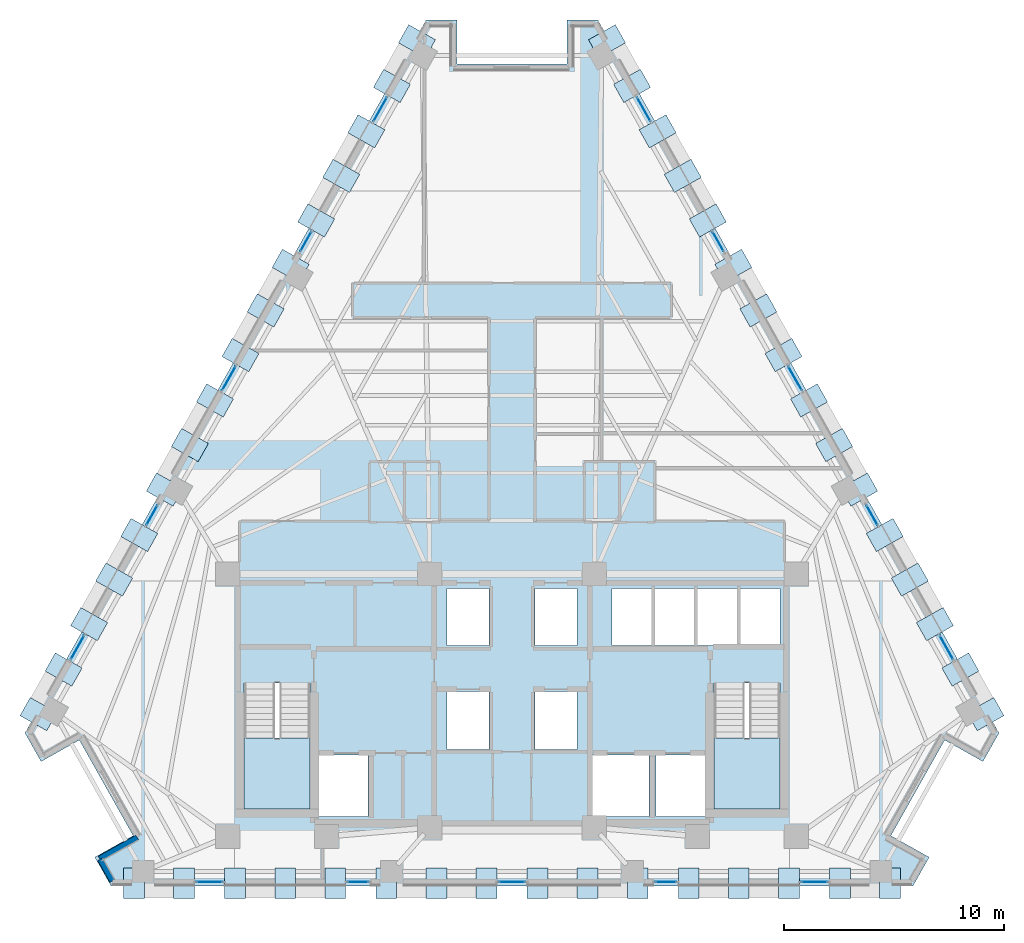
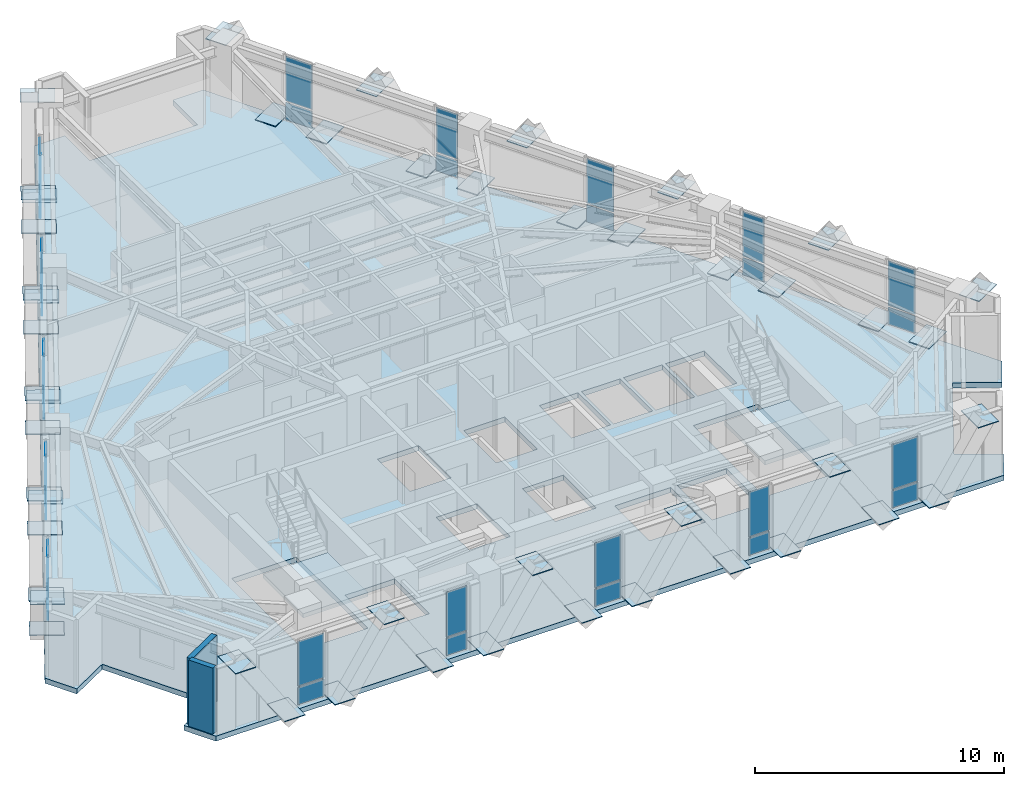
# One storey, part 6 of 14: 78 plates, 3 slabs, 2 walls, 17 elements without a shape of their own.
"""IFC4 building model written with IfcOpenShell, lengths in metres."""

from ifc_helpers import new_model, si_unit, direction, frame, frame_2d, origin, origin_2d, place, context, subcontext, project, spatial, polyline, rectangle, outline, extrude, material, layer, layer_set, type_object, element, aggregate, save


model = new_model("IFC4")

# Units and contexts
model_context = context("Model", 3, precision=1e-05, world=origin(), true_north=direction((0.0, 1.0)))
body_context = subcontext(model_context, "Body", "Model", "MODEL_VIEW")
ifc_project = project(units=[si_unit("LENGTHUNIT", "METRE"), si_unit("AREAUNIT", "SQUARE_METRE"), si_unit("VOLUMEUNIT", "CUBIC_METRE"), si_unit("PLANEANGLEUNIT", "RADIAN"), si_unit("MASSUNIT", "GRAM", prefix="KILO")], contexts=[model_context])

# Site, building, storey
site_placement = place(None, origin())
site = spatial("IfcSite", under=ifc_project, at=site_placement, CompositionType="ELEMENT")
building_placement = place(site_placement, origin())
building = spatial("IfcBuilding", under=site, at=building_placement, Name="Quenlor Broadcast Tower", CompositionType="ELEMENT")
storey_placement = place(building_placement, frame((0.0, 0.0, 168.5)))
storey = spatial("IfcBuildingStorey", under=building, at=storey_placement, Name="L46", CompositionType="ELEMENT", Elevation=168.5)

# Curtain wall, plates
ifc_material_1 = material(Name="Architectural Terracotta and Low-E Glazing", Category="masonry")
curtain_wall_type = type_object("IfcCurtainWallType", Name="Unitised Terracotta Curtain Wall System Z3", PredefinedType="NOTDEFINED", material=ifc_material_1)
curtain_wall_1_placement = place(storey_placement, origin())
curtain_wall_1 = element("IfcCurtainWall", 1, at=curtain_wall_1_placement, inside=storey, type_object=curtain_wall_type, Name="L46 Curtain Wall CW3 (L46-SA-G1)", PredefinedType="NOTDEFINED")
ifc_material_2 = material(Name="Double Glazed Low-E Solar Glass", Category="glass")
ifc_layer_1 = layer(ifc_material_2, 0.028076171875)
ifc_layer_set_1 = layer_set([ifc_layer_1], Name="CW3 Double Glazed Vision Panel 28")
plate_type_1 = type_object("IfcPlateType", Name="CW3 Double Glazed Vision Panel 28", PredefinedType="CURTAIN_PANEL", material=ifc_layer_set_1)
plate_1_placement = place(storey_placement, frame((13.77587890625, -18.824951171875, 0.06982421875), z_axis=(0.0, 0.0, 1.0), x_axis=(-1.0, 0.0, 0.0)))
plate_1 = element("IfcPlate", 2, at=plate_1_placement, type_object=plate_type_1, Name="CW3 panel 1.1", PredefinedType="CURTAIN_PANEL", context=body_context, shape_type="SweptSolid", body=[
    extrude(rectangle(XDim=1.197998046875, YDim=0.028076171875, at=origin_2d()), origin(), (0.0, 0.0, 1.0), 0.844970703125),
])
plate_2_placement = place(storey_placement, frame((13.77587890625, -18.824951171875, 0.98486328125), z_axis=(0.0, 0.0, 1.0), x_axis=(-1.0, 0.0, 0.0)))
plate_2 = element("IfcPlate", 3, at=plate_2_placement, type_object=plate_type_1, Name="CW3 panel 1.2", PredefinedType="CURTAIN_PANEL", context=body_context, shape_type="SweptSolid", body=[
    extrude(rectangle(XDim=1.197998046875, YDim=0.028076171875, at=origin_2d()), origin(), (0.0, 0.0, 1.0), 2.195068359375),
])
aggregate(curtain_wall_1, [plate_1, plate_2])

curtain_wall_2_placement = place(storey_placement, origin())
curtain_wall_2 = element("IfcCurtainWall", 4, at=curtain_wall_2_placement, inside=storey, type_object=curtain_wall_type, Name="L46 Curtain Wall CW3 (L46-SA-G2)", PredefinedType="NOTDEFINED")
plate_3_placement = place(storey_placement, frame((7.011474609375, -18.824951171875, 0.06982421875), z_axis=(0.0, 0.0, 1.0), x_axis=(-1.0, 0.0, 0.0)))
plate_3 = element("IfcPlate", 5, at=plate_3_placement, type_object=plate_type_1, Name="CW3 panel 1.1", PredefinedType="CURTAIN_PANEL", context=body_context, shape_type="SweptSolid", body=[
    extrude(rectangle(XDim=0.950927734375, YDim=0.028076171875, at=origin_2d()), origin(), (0.0, 0.0, 1.0), 0.844970703125),
])
plate_4_placement = place(storey_placement, frame((7.011474609375, -18.824951171875, 0.98486328125), z_axis=(0.0, 0.0, 1.0), x_axis=(-1.0, 0.0, 0.0)))
plate_4 = element("IfcPlate", 6, at=plate_4_placement, type_object=plate_type_1, Name="CW3 panel 1.2", PredefinedType="CURTAIN_PANEL", context=body_context, shape_type="SweptSolid", body=[
    extrude(rectangle(XDim=0.950927734375, YDim=0.028076171875, at=origin_2d()), origin(), (0.0, 0.0, 1.0), 2.195068359375),
])
aggregate(curtain_wall_2, [plate_3, plate_4])

curtain_wall_3_placement = place(storey_placement, origin())
curtain_wall_3 = element("IfcCurtainWall", 7, at=curtain_wall_3_placement, inside=storey, type_object=curtain_wall_type, Name="L46 Curtain Wall CW3 (L46-SC-G1)", PredefinedType="NOTDEFINED")
plate_5_placement = place(storey_placement, frame((-7.011474609375, -18.824951171875, 0.06982421875), z_axis=(0.0, 0.0, 1.0), x_axis=(-1.0, 0.0, 0.0)))
plate_5 = element("IfcPlate", 8, at=plate_5_placement, type_object=plate_type_1, Name="CW3 panel 1.1", PredefinedType="CURTAIN_PANEL", context=body_context, shape_type="SweptSolid", body=[
    extrude(rectangle(XDim=0.950927734375, YDim=0.028076171875, at=origin_2d()), origin(), (0.0, 0.0, 1.0), 0.844970703125),
])
plate_6_placement = place(storey_placement, frame((-7.011474609375, -18.824951171875, 0.98486328125), z_axis=(0.0, 0.0, 1.0), x_axis=(-1.0, 0.0, 0.0)))
plate_6 = element("IfcPlate", 9, at=plate_6_placement, type_object=plate_type_1, Name="CW3 panel 1.2", PredefinedType="CURTAIN_PANEL", context=body_context, shape_type="SweptSolid", body=[
    extrude(rectangle(XDim=0.950927734375, YDim=0.028076171875, at=origin_2d()), origin(), (0.0, 0.0, 1.0), 2.195068359375),
])
aggregate(curtain_wall_3, [plate_5, plate_6])

curtain_wall_4_placement = place(storey_placement, origin())
curtain_wall_4 = element("IfcCurtainWall", 10, at=curtain_wall_4_placement, inside=storey, type_object=curtain_wall_type, Name="L46 Curtain Wall CW3 (L46-SC-G2)", PredefinedType="NOTDEFINED")
plate_7_placement = place(storey_placement, frame((-13.77587890625, -18.824951171875, 0.06982421875), z_axis=(0.0, 0.0, 1.0), x_axis=(-1.0, 0.0, 0.0)))
plate_7 = element("IfcPlate", 11, at=plate_7_placement, type_object=plate_type_1, Name="CW3 panel 1.1", PredefinedType="CURTAIN_PANEL", context=body_context, shape_type="SweptSolid", body=[
    extrude(rectangle(XDim=1.197998046875, YDim=0.028076171875, at=origin_2d()), origin(), (0.0, 0.0, 1.0), 0.844970703125),
])
plate_8_placement = place(storey_placement, frame((-13.77587890625, -18.824951171875, 0.98486328125), z_axis=(0.0, 0.0, 1.0), x_axis=(-1.0, 0.0, 0.0)))
plate_8 = element("IfcPlate", 12, at=plate_8_placement, type_object=plate_type_1, Name="CW3 panel 1.2", PredefinedType="CURTAIN_PANEL", context=body_context, shape_type="SweptSolid", body=[
    extrude(rectangle(XDim=1.197998046875, YDim=0.028076171875, at=origin_2d()), origin(), (0.0, 0.0, 1.0), 2.195068359375),
])
aggregate(curtain_wall_4, [plate_7, plate_8])

curtain_wall_5_placement = place(storey_placement, origin())
curtain_wall_5 = element("IfcCurtainWall", 13, at=curtain_wall_5_placement, inside=storey, type_object=curtain_wall_type, Name="L46 Curtain Wall CW3 (L46-S-G1)", PredefinedType="NOTDEFINED")
plate_9_placement = place(storey_placement, frame((0.0, -18.824951171875, 0.06982421875), z_axis=(0.0, 0.0, 1.0), x_axis=(-1.0, 0.0, 0.0)))
plate_9 = element("IfcPlate", 14, at=plate_9_placement, type_object=plate_type_1, Name="CW3 panel 1.1", PredefinedType="CURTAIN_PANEL", context=body_context, shape_type="SweptSolid", body=[
    extrude(rectangle(XDim=1.197998046875, YDim=0.028076171875, at=origin_2d()), origin(), (0.0, 0.0, 1.0), 0.844970703125),
])
plate_10_placement = place(storey_placement, frame((0.0, -18.824951171875, 0.98486328125), z_axis=(0.0, 0.0, 1.0), x_axis=(-1.0, 0.0, 0.0)))
plate_10 = element("IfcPlate", 15, at=plate_10_placement, type_object=plate_type_1, Name="CW3 panel 1.2", PredefinedType="CURTAIN_PANEL", context=body_context, shape_type="SweptSolid", body=[
    extrude(rectangle(XDim=1.197998046875, YDim=0.028076171875, at=origin_2d()), origin(), (0.0, 0.0, 1.0), 2.195068359375),
])
aggregate(curtain_wall_5, [plate_9, plate_10])

curtain_wall_6_placement = place(storey_placement, origin())
curtain_wall_6 = element("IfcCurtainWall", 16, at=curtain_wall_6_placement, inside=storey, type_object=curtain_wall_type, Name="L46 Curtain Wall CW3 (L46-NEA-G1)", PredefinedType="NOTDEFINED")
plate_11_placement = place(storey_placement, frame((6.00146484375, 16.3740234375, 0.06982421875), z_axis=(0.0, 0.0, 1.0), x_axis=(0.490230492916, -0.871592831439, 0.0)))
plate_11 = element("IfcPlate", 17, at=plate_11_placement, type_object=plate_type_1, Name="CW3 panel 1.1", PredefinedType="CURTAIN_PANEL", context=body_context, shape_type="SweptSolid", body=[
    extrude(rectangle(XDim=1.249755859375, YDim=0.028076171875, at=origin_2d()), origin(), (0.0, 0.0, 1.0), 0.844970703125),
])
plate_12_placement = place(storey_placement, frame((6.00146484375, 16.3740234375, 0.98486328125), z_axis=(0.0, 0.0, 1.0), x_axis=(0.490230492916, -0.871592831439, 0.0)))
plate_12 = element("IfcPlate", 18, at=plate_12_placement, type_object=plate_type_1, Name="CW3 panel 1.2", PredefinedType="CURTAIN_PANEL", context=body_context, shape_type="SweptSolid", body=[
    extrude(rectangle(XDim=1.249755859375, YDim=0.028076171875, at=origin_2d()), origin(), (0.0, 0.0, 1.0), 2.195068359375),
])
aggregate(curtain_wall_6, [plate_11, plate_12])

curtain_wall_7_placement = place(storey_placement, origin())
curtain_wall_7 = element("IfcCurtainWall", 19, at=curtain_wall_7_placement, inside=storey, type_object=curtain_wall_type, Name="L46 Curtain Wall CW3 (L46-NEA-G2)", PredefinedType="NOTDEFINED")
plate_13_placement = place(storey_placement, frame((9.391357421875, 10.34716796875, 0.06982421875), z_axis=(0.0, 0.0, 1.0), x_axis=(0.490215950125, -0.871601010924, 0.0)))
plate_13 = element("IfcPlate", 20, at=plate_13_placement, type_object=plate_type_1, Name="CW3 panel 1.1", PredefinedType="CURTAIN_PANEL", context=body_context, shape_type="SweptSolid", body=[
    extrude(rectangle(XDim=1.01318359375, YDim=0.028076171875, at=origin_2d()), origin(), (0.0, 0.0, 1.0), 0.844970703125),
])
plate_14_placement = place(storey_placement, frame((9.391357421875, 10.34716796875, 0.98486328125), z_axis=(0.0, 0.0, 1.0), x_axis=(0.490215950125, -0.871601010924, 0.0)))
plate_14 = element("IfcPlate", 21, at=plate_14_placement, type_object=plate_type_1, Name="CW3 panel 1.2", PredefinedType="CURTAIN_PANEL", context=body_context, shape_type="SweptSolid", body=[
    extrude(rectangle(XDim=1.01318359375, YDim=0.028076171875, at=origin_2d()), origin(), (0.0, 0.0, 1.0), 2.195068359375),
])
aggregate(curtain_wall_7, [plate_13, plate_14])

curtain_wall_8_placement = place(storey_placement, origin())
curtain_wall_8 = element("IfcCurtainWall", 22, at=curtain_wall_8_placement, inside=storey, type_object=curtain_wall_type, Name="L46 Curtain Wall CW3 (L46-NEC-G1)", PredefinedType="NOTDEFINED")
plate_15_placement = place(storey_placement, frame((16.403564453125, -2.118896484375, 0.06982421875), z_axis=(0.0, 0.0, 1.0), x_axis=(0.490253004657, -0.871580169247, 0.0)))
plate_15 = element("IfcPlate", 23, at=plate_15_placement, type_object=plate_type_1, Name="CW3 panel 1.1", PredefinedType="CURTAIN_PANEL", context=body_context, shape_type="SweptSolid", body=[
    extrude(rectangle(XDim=1.01318359375, YDim=0.028076171875, at=origin_2d()), origin(), (0.0, 0.0, 1.0), 0.844970703125),
])
plate_16_placement = place(storey_placement, frame((16.403564453125, -2.118896484375, 0.98486328125), z_axis=(0.0, 0.0, 1.0), x_axis=(0.490253004657, -0.871580169247, 0.0)))
plate_16 = element("IfcPlate", 24, at=plate_16_placement, type_object=plate_type_1, Name="CW3 panel 1.2", PredefinedType="CURTAIN_PANEL", context=body_context, shape_type="SweptSolid", body=[
    extrude(rectangle(XDim=1.01318359375, YDim=0.028076171875, at=origin_2d()), origin(), (0.0, 0.0, 1.0), 2.195068359375),
])
aggregate(curtain_wall_8, [plate_15, plate_16])

curtain_wall_9_placement = place(storey_placement, origin())
curtain_wall_9 = element("IfcCurtainWall", 25, at=curtain_wall_9_placement, inside=storey, type_object=curtain_wall_type, Name="L46 Curtain Wall CW3 (L46-NEC-G2)", PredefinedType="NOTDEFINED")
plate_17_placement = place(storey_placement, frame((19.793701171875, -8.145751953125, 0.06982421875), z_axis=(0.0, 0.0, 1.0), x_axis=(0.490261239636, -0.871575537123, 0.0)))
plate_17 = element("IfcPlate", 26, at=plate_17_placement, type_object=plate_type_1, Name="CW3 panel 1.1", PredefinedType="CURTAIN_PANEL", context=body_context, shape_type="SweptSolid", body=[
    extrude(rectangle(XDim=1.249755859375, YDim=0.028076171875, at=origin_2d()), origin(), (0.0, 0.0, 1.0), 0.844970703125),
])
plate_18_placement = place(storey_placement, frame((19.793701171875, -8.145751953125, 0.98486328125), z_axis=(0.0, 0.0, 1.0), x_axis=(0.490261239636, -0.871575537123, 0.0)))
plate_18 = element("IfcPlate", 27, at=plate_18_placement, type_object=plate_type_1, Name="CW3 panel 1.2", PredefinedType="CURTAIN_PANEL", context=body_context, shape_type="SweptSolid", body=[
    extrude(rectangle(XDim=1.249755859375, YDim=0.028076171875, at=origin_2d()), origin(), (0.0, 0.0, 1.0), 2.195068359375),
])
aggregate(curtain_wall_9, [plate_17, plate_18])

curtain_wall_10_placement = place(storey_placement, origin())
curtain_wall_10 = element("IfcCurtainWall", 28, at=curtain_wall_10_placement, inside=storey, type_object=curtain_wall_type, Name="L46 Curtain Wall CW3 (L46-NE-G1)", PredefinedType="NOTDEFINED")
plate_19_placement = place(storey_placement, frame((12.8974609375, 4.1142578125, 0.06982421875), z_axis=(0.0, 0.0, 1.0), x_axis=(0.490285152484, -0.871562085714, 0.0)))
plate_19 = element("IfcPlate", 29, at=plate_19_placement, type_object=plate_type_1, Name="CW3 panel 1.1", PredefinedType="CURTAIN_PANEL", context=body_context, shape_type="SweptSolid", body=[
    extrude(rectangle(XDim=1.249755859375, YDim=0.028076171875, at=origin_2d()), origin(), (0.0, 0.0, 1.0), 0.844970703125),
])
plate_20_placement = place(storey_placement, frame((12.8974609375, 4.1142578125, 0.98486328125), z_axis=(0.0, 0.0, 1.0), x_axis=(0.490285152484, -0.871562085714, 0.0)))
plate_20 = element("IfcPlate", 30, at=plate_20_placement, type_object=plate_type_1, Name="CW3 panel 1.2", PredefinedType="CURTAIN_PANEL", context=body_context, shape_type="SweptSolid", body=[
    extrude(rectangle(XDim=1.249755859375, YDim=0.028076171875, at=origin_2d()), origin(), (0.0, 0.0, 1.0), 2.195068359375),
])
aggregate(curtain_wall_10, [plate_19, plate_20])

curtain_wall_11_placement = place(storey_placement, origin())
curtain_wall_11 = element("IfcCurtainWall", 31, at=curtain_wall_11_placement, inside=storey, type_object=curtain_wall_type, Name="L46 Curtain Wall CW3 (L46-NWA-G1)", PredefinedType="NOTDEFINED")
plate_21_placement = place(storey_placement, frame((-19.793701171875, -8.145751953125, 0.06982421875), z_axis=(0.0, 0.0, 1.0), x_axis=(0.490261239636, 0.871575537123, 0.0)))
plate_21 = element("IfcPlate", 32, at=plate_21_placement, type_object=plate_type_1, Name="CW3 panel 1.1", PredefinedType="CURTAIN_PANEL", context=body_context, shape_type="SweptSolid", body=[
    extrude(rectangle(XDim=1.249755859375, YDim=0.028076171875, at=origin_2d()), origin(), (0.0, 0.0, 1.0), 0.844970703125),
])
plate_22_placement = place(storey_placement, frame((-19.793701171875, -8.145751953125, 0.98486328125), z_axis=(0.0, 0.0, 1.0), x_axis=(0.490261239636, 0.871575537123, 0.0)))
plate_22 = element("IfcPlate", 33, at=plate_22_placement, type_object=plate_type_1, Name="CW3 panel 1.2", PredefinedType="CURTAIN_PANEL", context=body_context, shape_type="SweptSolid", body=[
    extrude(rectangle(XDim=1.249755859375, YDim=0.028076171875, at=origin_2d()), origin(), (0.0, 0.0, 1.0), 2.195068359375),
])
aggregate(curtain_wall_11, [plate_21, plate_22])

curtain_wall_12_placement = place(storey_placement, origin())
curtain_wall_12 = element("IfcCurtainWall", 34, at=curtain_wall_12_placement, inside=storey, type_object=curtain_wall_type, Name="L46 Curtain Wall CW3 (L46-NWA-G2)", PredefinedType="NOTDEFINED")
plate_23_placement = place(storey_placement, frame((-16.403564453125, -2.118896484375, 0.06982421875), z_axis=(0.0, 0.0, 1.0), x_axis=(0.490253004657, 0.871580169247, 0.0)))
plate_23 = element("IfcPlate", 35, at=plate_23_placement, type_object=plate_type_1, Name="CW3 panel 1.1", PredefinedType="CURTAIN_PANEL", context=body_context, shape_type="SweptSolid", body=[
    extrude(rectangle(XDim=1.01318359375, YDim=0.028076171875, at=origin_2d()), origin(), (0.0, 0.0, 1.0), 0.844970703125),
])
plate_24_placement = place(storey_placement, frame((-16.403564453125, -2.118896484375, 0.98486328125), z_axis=(0.0, 0.0, 1.0), x_axis=(0.490253004657, 0.871580169247, 0.0)))
plate_24 = element("IfcPlate", 36, at=plate_24_placement, type_object=plate_type_1, Name="CW3 panel 1.2", PredefinedType="CURTAIN_PANEL", context=body_context, shape_type="SweptSolid", body=[
    extrude(rectangle(XDim=1.01318359375, YDim=0.028076171875, at=origin_2d()), origin(), (0.0, 0.0, 1.0), 2.195068359375),
])
aggregate(curtain_wall_12, [plate_23, plate_24])

curtain_wall_13_placement = place(storey_placement, origin())
curtain_wall_13 = element("IfcCurtainWall", 37, at=curtain_wall_13_placement, inside=storey, type_object=curtain_wall_type, Name="L46 Curtain Wall CW3 (L46-NWC-G1)", PredefinedType="NOTDEFINED")
plate_25_placement = place(storey_placement, frame((-9.391357421875, 10.34716796875, 0.06982421875), z_axis=(0.0, 0.0, 1.0), x_axis=(0.490215950125, 0.871601010924, 0.0)))
plate_25 = element("IfcPlate", 38, at=plate_25_placement, type_object=plate_type_1, Name="CW3 panel 1.1", PredefinedType="CURTAIN_PANEL", context=body_context, shape_type="SweptSolid", body=[
    extrude(rectangle(XDim=1.01318359375, YDim=0.028076171875, at=origin_2d()), origin(), (0.0, 0.0, 1.0), 0.844970703125),
])
plate_26_placement = place(storey_placement, frame((-9.391357421875, 10.34716796875, 0.98486328125), z_axis=(0.0, 0.0, 1.0), x_axis=(0.490215950125, 0.871601010924, 0.0)))
plate_26 = element("IfcPlate", 39, at=plate_26_placement, type_object=plate_type_1, Name="CW3 panel 1.2", PredefinedType="CURTAIN_PANEL", context=body_context, shape_type="SweptSolid", body=[
    extrude(rectangle(XDim=1.01318359375, YDim=0.028076171875, at=origin_2d()), origin(), (0.0, 0.0, 1.0), 2.195068359375),
])
aggregate(curtain_wall_13, [plate_25, plate_26])

curtain_wall_14_placement = place(storey_placement, origin())
curtain_wall_14 = element("IfcCurtainWall", 40, at=curtain_wall_14_placement, inside=storey, type_object=curtain_wall_type, Name="L46 Curtain Wall CW3 (L46-NWC-G2)", PredefinedType="NOTDEFINED")
plate_27_placement = place(storey_placement, frame((-6.00146484375, 16.3740234375, 0.06982421875), z_axis=(0.0, 0.0, 1.0), x_axis=(0.490230492916, 0.871592831439, 0.0)))
plate_27 = element("IfcPlate", 41, at=plate_27_placement, type_object=plate_type_1, Name="CW3 panel 1.1", PredefinedType="CURTAIN_PANEL", context=body_context, shape_type="SweptSolid", body=[
    extrude(rectangle(XDim=1.249755859375, YDim=0.028076171875, at=origin_2d()), origin(), (0.0, 0.0, 1.0), 0.844970703125),
])
plate_28_placement = place(storey_placement, frame((-6.00146484375, 16.3740234375, 0.98486328125), z_axis=(0.0, 0.0, 1.0), x_axis=(0.490230492916, 0.871592831439, 0.0)))
plate_28 = element("IfcPlate", 42, at=plate_28_placement, type_object=plate_type_1, Name="CW3 panel 1.2", PredefinedType="CURTAIN_PANEL", context=body_context, shape_type="SweptSolid", body=[
    extrude(rectangle(XDim=1.249755859375, YDim=0.028076171875, at=origin_2d()), origin(), (0.0, 0.0, 1.0), 2.195068359375),
])
aggregate(curtain_wall_14, [plate_27, plate_28])

curtain_wall_15_placement = place(storey_placement, origin())
curtain_wall_15 = element("IfcCurtainWall", 43, at=curtain_wall_15_placement, inside=storey, type_object=curtain_wall_type, Name="L46 Curtain Wall CW3 (L46-NW-G1)", PredefinedType="NOTDEFINED")
plate_29_placement = place(storey_placement, frame((-12.8974609375, 4.1142578125, 0.06982421875), z_axis=(0.0, 0.0, 1.0), x_axis=(0.490285152484, 0.871562085714, 0.0)))
plate_29 = element("IfcPlate", 44, at=plate_29_placement, type_object=plate_type_1, Name="CW3 panel 1.1", PredefinedType="CURTAIN_PANEL", context=body_context, shape_type="SweptSolid", body=[
    extrude(rectangle(XDim=1.249755859375, YDim=0.028076171875, at=origin_2d()), origin(), (0.0, 0.0, 1.0), 0.844970703125),
])
plate_30_placement = place(storey_placement, frame((-12.8974609375, 4.1142578125, 0.98486328125), z_axis=(0.0, 0.0, 1.0), x_axis=(0.490285152484, 0.871562085714, 0.0)))
plate_30 = element("IfcPlate", 45, at=plate_30_placement, type_object=plate_type_1, Name="CW3 panel 1.2", PredefinedType="CURTAIN_PANEL", context=body_context, shape_type="SweptSolid", body=[
    extrude(rectangle(XDim=1.249755859375, YDim=0.028076171875, at=origin_2d()), origin(), (0.0, 0.0, 1.0), 2.195068359375),
])
aggregate(curtain_wall_15, [plate_29, plate_30])

# Stair, slab
ifc_material_3 = material(Name="Precast concrete C40/50", Category="concrete")
stair_type = type_object("IfcStairType", Name="Precast Concrete C40/50 Dogleg Stair H350", PredefinedType="HALF_TURN_STAIR", material=ifc_material_3)
stair_1_placement = place(storey_placement, origin())
stair_1 = element("IfcStair", 46, at=stair_1_placement, inside=storey, type_object=stair_type, Name="L46 West Core Fire-Isolated Exit Stair ST-1", PredefinedType="HALF_TURN_STAIR")
ifc_material_4 = material(Name="Precast concrete C40/50", Category="concrete")
ifc_layer_2 = layer(ifc_material_4, 0.199951171875)
ifc_layer_set_2 = layer_set([ifc_layer_2], Name="Precast Concrete C40/50 Stair Landing Slab 200")
slab_type_1 = type_object("IfcSlabType", Name="Precast Concrete C40/50 Stair Landing Slab 200", PredefinedType="LANDING", material=ifc_layer_set_2)
slab_1_placement = place(storey_placement, frame((0.0, 0.0, 1.550048828125)))
slab_1 = element("IfcSlab", 47, at=slab_1_placement, type_object=slab_type_1, Name="ST-1 landing 1", PredefinedType="LANDING", context=body_context, shape_type="SweptSolid", body=[
    extrude(outline(polyline([(-12.199951171875, -12.27001953125), (-12.199951171875, -15.5), (-9.199951171875, -15.5), (-9.199951171875, -12.27001953125), (-12.199951171875, -12.27001953125)])), origin(), (0.0, 0.0, 1.0), 0.199951171875),
])
aggregate(stair_1, [slab_1])

stair_2_placement = place(storey_placement, origin())
stair_2 = element("IfcStair", 48, at=stair_2_placement, inside=storey, type_object=stair_type, Name="L46 East Core Fire-Isolated Exit Stair ST-2", PredefinedType="HALF_TURN_STAIR")
slab_2_placement = place(storey_placement, frame((0.0, 0.0, 1.550048828125)))
slab_2 = element("IfcSlab", 49, at=slab_2_placement, type_object=slab_type_1, Name="ST-2 landing 1", PredefinedType="LANDING", context=body_context, shape_type="SweptSolid", body=[
    extrude(outline(polyline([(9.199951171875, -12.27001953125), (9.199951171875, -15.5), (12.199951171875, -15.5), (12.199951171875, -12.27001953125), (9.199951171875, -12.27001953125)])), origin(), (0.0, 0.0, 1.0), 0.199951171875),
])
aggregate(stair_2, [slab_2])

# Slab
ifc_material_5 = material(Name="Concrete C40/50", Category="concrete")
ifc_layer_3 = layer(ifc_material_5, 0.25)
ifc_layer_set_3 = layer_set([ifc_layer_3], Name="Tower Composite Concrete C40/50 Slab 250")
slab_type_2 = type_object("IfcSlabType", Name="Tower Composite Concrete C40/50 Slab 250", PredefinedType="FLOOR", material=ifc_layer_set_3)
slab_3_placement = place(storey_placement, frame((0.0, 0.0, -0.25)))
element("IfcSlab", 50, at=slab_3_placement, inside=storey, type_object=slab_type_2, Name="L46 Structural Floor Slab", PredefinedType="FLOOR", context=body_context, shape_type="SweptSolid", body=[
    extrude(outline(polyline([(18.27001953125, -19.0), (19.001708984375, -17.698974609375), (17.2587890625, -16.718505859375), (19.7099609375, -12.360595703125), (21.453125, -13.341064453125), (22.18505859375, -12.0400390625), (3.9150390625, 20.43994140625), (2.5, 20.43994140625), (2.5, 18.43994140625), (-2.5, 18.43994140625), (-2.5, 20.43994140625), (-3.9150390625, 20.43994140625), (-22.18505859375, -12.0400390625), (-21.453125, -13.341064453125), (-19.7099609375, -12.360595703125), (-17.2587890625, -16.718505859375), (-19.001708984375, -17.698974609375), (-18.27001953125, -19.0), (18.27001953125, -19.0)]), holes=[polyline([(-12.199951171875, -9.758056640625), (-12.199951171875, -15.5), (-9.199951171875, -15.5), (-9.199951171875, -9.758056640625), (-12.199951171875, -9.758056640625)]), polyline([(9.199951171875, -9.758056640625), (9.199951171875, -15.5), (12.199951171875, -15.5), (12.199951171875, -9.758056640625), (9.199951171875, -9.758056640625)]), polyline([(-2.949951171875, -8.050048828125), (-1.050048828125, -8.050048828125), (-1.050048828125, -5.449951171875), (-2.949951171875, -5.449951171875), (-2.949951171875, -8.050048828125)]), polyline([(1.050048828125, -8.050048828125), (2.949951171875, -8.050048828125), (2.949951171875, -5.449951171875), (1.050048828125, -5.449951171875), (1.050048828125, -8.050048828125)]), polyline([(-2.949951171875, -12.800048828125), (-1.050048828125, -12.800048828125), (-1.050048828125, -10.14990234375), (-2.949951171875, -10.14990234375), (-2.949951171875, -12.800048828125)]), polyline([(1.050048828125, -12.800048828125), (2.949951171875, -12.800048828125), (2.949951171875, -10.14990234375), (1.050048828125, -10.14990234375), (1.050048828125, -12.800048828125)]), polyline([(4.550048828125, -8.050048828125), (6.35009765625, -8.050048828125), (6.35009765625, -5.449951171875), (4.550048828125, -5.449951171875), (4.550048828125, -8.050048828125)]), polyline([(6.5, -8.050048828125), (8.300048828125, -8.050048828125), (8.300048828125, -5.449951171875), (6.5, -5.449951171875), (6.5, -8.050048828125)]), polyline([(8.449951171875, -8.050048828125), (10.25, -8.050048828125), (10.25, -5.449951171875), (8.449951171875, -5.449951171875), (8.449951171875, -8.050048828125)]), polyline([(10.39990234375, -8.050048828125), (12.199951171875, -8.050048828125), (12.199951171875, -5.449951171875), (10.39990234375, -5.449951171875), (10.39990234375, -8.050048828125)]), polyline([(-8.85009765625, -15.85009765625), (-6.550048828125, -15.85009765625), (-6.550048828125, -13.050048828125), (-8.85009765625, -13.050048828125), (-8.85009765625, -15.85009765625)]), polyline([(6.550048828125, -15.85009765625), (8.85009765625, -15.85009765625), (8.85009765625, -13.050048828125), (6.550048828125, -13.050048828125), (6.550048828125, -15.85009765625)]), polyline([(3.64990234375, -15.85009765625), (6.25, -15.85009765625), (6.25, -13.050048828125), (3.64990234375, -13.050048828125), (3.64990234375, -15.85009765625)])]), origin(), (0.0, 0.0, 1.0), 0.25),
])

# Plates
ifc_material_6 = material(Name="Steel S355", Category="steel")
ifc_layer_4 = layer(ifc_material_6, 0.035888671875)
ifc_layer_set_4 = layer_set([ifc_layer_4], Name="Transfer Truss Steel S355 Gusset Node Plate 1400x950x36")
plate_type_2 = type_object("IfcPlateType", Name="Transfer Truss Steel S355 Gusset Node Plate 1400x950x36", PredefinedType="SHEET", material=ifc_layer_set_4)
for number, where, z_axis, x_axis, name in (
    (51, (12.6142578125, -18.885009765625, 0.0419921875), (0.0, 0.0, 1.0), (0.0, -1.0, 0.0), "L46 Lattice Tie Gusset Node S-B2"),
    (52, (10.33203125, -18.885009765625, 3.18212890625), (0.0, 0.0, 1.0), (0.0, -1.0, 0.0), "L46 Lattice Tie Gusset Node S-T3"),
    (53, (14.937744140625, -18.885009765625, 0.0419921875), (0.0, 0.0, 1.0), (0.0, -1.0, 0.0), "L46 Lattice Tie Gusset Node S-B1"),
    (54, (17.219970703125, -18.885009765625, 3.18212890625), (0.0, 0.0, 1.0), (0.0, -1.0, 0.0), "L46 Lattice Tie Gusset Node S-T0"),
    (55, (5.726318359375, -18.885009765625, 0.0419921875), (0.0, 0.0, 1.0), (0.0, -1.0, 0.0), "L46 Lattice Tie Gusset Node S-B5"),
    (56, (3.444091796875, -18.885009765625, 3.18212890625), (0.0, 0.0, 1.0), (0.0, -1.0, 0.0), "L46 Lattice Tie Gusset Node S-T6"),
    (57, (8.0498046875, -18.885009765625, 0.0419921875), (0.0, 0.0, 1.0), (0.0, -1.0, 0.0), "L46 Lattice Tie Gusset Node S-B4"),
    (58, (-1.161865234375, -18.885009765625, 0.0419921875), (0.0, 0.0, 1.0), (0.0, -1.0, 0.0), "L46 Lattice Tie Gusset Node S-B8"),
    (59, (-3.444091796875, -18.885009765625, 3.18212890625), (0.0, 0.0, 1.0), (0.0, -1.0, 0.0), "L46 Lattice Tie Gusset Node S-T9"),
    (60, (1.161865234375, -18.885009765625, 0.0419921875), (0.0, 0.0, 1.0), (0.0, -1.0, 0.0), "L46 Lattice Tie Gusset Node S-B7"),
    (61, (-8.0498046875, -18.885009765625, 0.0419921875), (0.0, 0.0, 1.0), (0.0, -1.0, 0.0), "L46 Lattice Tie Gusset Node S-B11"),
    (62, (-10.33203125, -18.885009765625, 3.18212890625), (0.0, 0.0, 1.0), (0.0, -1.0, 0.0), "L46 Lattice Tie Gusset Node S-T12"),
    (63, (-5.726318359375, -18.885009765625, 0.0419921875), (0.0, 0.0, 1.0), (0.0, -1.0, 0.0), "L46 Lattice Tie Gusset Node S-B10"),
    (64, (-14.937744140625, -18.885009765625, 0.0419921875), (0.0, 0.0, 1.0), (0.0, -1.0, 0.0), "L46 Lattice Tie Gusset Node S-B14"),
    (65, (-17.219970703125, -18.885009765625, 3.18212890625), (0.0, 0.0, 1.0), (0.0, -1.0, 0.0), "L46 Lattice Tie Gusset Node S-T15"),
    (66, (-12.6142578125, -18.885009765625, 0.0419921875), (0.0, 0.0, 1.0), (0.0, -1.0, 0.0), "L46 Lattice Tie Gusset Node S-B13"),
    (67, (6.63525390625, 15.36962890625, 0.0419921875), (0.0, 0.0, 1.0), (0.871556314255, 0.490295412055, 0.0), "L46 Lattice Tie Gusset Node NE-B2"),
    (68, (7.777587890625, 13.33837890625, 3.18212890625), (0.0, 0.0, 1.0), (0.871556314255, 0.490295412055, 0.0), "L46 Lattice Tie Gusset Node NE-T3"),
    (69, (5.471923828125, 17.4375, 0.0419921875), (0.0, 0.0, 1.0), (0.871556314255, 0.490295412055, 0.0), "L46 Lattice Tie Gusset Node NE-B1"),
    (70, (4.32958984375, 19.468505859375, 3.18212890625), (0.0, 0.0, 1.0), (0.871556314255, 0.490295412055, 0.0), "L46 Lattice Tie Gusset Node NE-T0"),
    (71, (10.083251953125, 9.239501953125, 0.0419921875), (0.0, 0.0, 1.0), (0.871556314255, 0.490295412055, 0.0), "L46 Lattice Tie Gusset Node NE-B5"),
    (72, (11.2255859375, 7.20849609375, 3.18212890625), (0.0, 0.0, 1.0), (0.871556314255, 0.490295412055, 0.0), "L46 Lattice Tie Gusset Node NE-T6"),
    (73, (8.920166015625, 11.3076171875, 0.0419921875), (0.0, 0.0, 1.0), (0.871556314255, 0.490295412055, 0.0), "L46 Lattice Tie Gusset Node NE-B4"),
    (74, (13.531494140625, 3.109619140625, 0.0419921875), (0.0, 0.0, 1.0), (0.871556314255, 0.490295412055, 0.0), "L46 Lattice Tie Gusset Node NE-B8"),
    (75, (14.673828125, 1.07861328125, 3.18212890625), (0.0, 0.0, 1.0), (0.871556314255, 0.490295412055, 0.0), "L46 Lattice Tie Gusset Node NE-T9"),
    (76, (12.3681640625, 5.177490234375, 0.0419921875), (0.0, 0.0, 1.0), (0.871556314255, 0.490295412055, 0.0), "L46 Lattice Tie Gusset Node NE-B7"),
    (77, (16.9794921875, -3.020263671875, 0.0419921875), (0.0, 0.0, 1.0), (0.871556314255, 0.490295412055, 0.0), "L46 Lattice Tie Gusset Node NE-B11"),
    (78, (18.121826171875, -5.05126953125, 3.18212890625), (0.0, 0.0, 1.0), (0.871556314255, 0.490295412055, 0.0), "L46 Lattice Tie Gusset Node NE-T12"),
    (79, (15.81640625, -0.952392578125, 0.0419921875), (0.0, 0.0, 1.0), (0.871556314255, 0.490295412055, 0.0), "L46 Lattice Tie Gusset Node NE-B10"),
    (80, (20.427490234375, -9.150146484375, 0.0419921875), (0.0, 0.0, 1.0), (0.871556314255, 0.490295412055, 0.0), "L46 Lattice Tie Gusset Node NE-B14"),
    (81, (21.570068359375, -11.18115234375, 3.18212890625), (0.0, 0.0, 1.0), (0.871556314255, 0.490295412055, 0.0), "L46 Lattice Tie Gusset Node NE-T15"),
    (82, (19.264404296875, -7.082275390625, 0.0419921875), (0.0, 0.0, 1.0), (0.871556314255, 0.490295412055, 0.0), "L46 Lattice Tie Gusset Node NE-B13"),
    (83, (-19.264404296875, -7.082275390625, 0.0419921875), (0.0, 0.0, 1.0), (-0.871556314255, 0.490295412055, 0.0), "L46 Lattice Tie Gusset Node NW-B2"),
    (84, (-18.121826171875, -5.05126953125, 3.18212890625), (0.0, 0.0, 1.0), (-0.871556314255, 0.490295412055, 0.0), "L46 Lattice Tie Gusset Node NW-T3"),
    (85, (-20.427490234375, -9.150146484375, 0.0419921875), (0.0, 0.0, 1.0), (-0.871556314255, 0.490295412055, 0.0), "L46 Lattice Tie Gusset Node NW-B1"),
    (86, (-21.570068359375, -11.18115234375, 3.18212890625), (0.0, 0.0, 1.0), (-0.871556314255, 0.490295412055, 0.0), "L46 Lattice Tie Gusset Node NW-T0"),
    (87, (-15.81640625, -0.952392578125, 0.0419921875), (0.0, 0.0, 1.0), (-0.871556314255, 0.490295412055, 0.0), "L46 Lattice Tie Gusset Node NW-B5"),
    (88, (-14.673828125, 1.07861328125, 3.18212890625), (0.0, 0.0, 1.0), (-0.871556314255, 0.490295412055, 0.0), "L46 Lattice Tie Gusset Node NW-T6"),
    (89, (-16.9794921875, -3.020263671875, 0.0419921875), (0.0, 0.0, 1.0), (-0.871556314255, 0.490295412055, 0.0), "L46 Lattice Tie Gusset Node NW-B4"),
    (90, (-12.3681640625, 5.177490234375, 0.0419921875), (0.0, 0.0, 1.0), (-0.871556314255, 0.490295412055, 0.0), "L46 Lattice Tie Gusset Node NW-B8"),
    (91, (-11.2255859375, 7.20849609375, 3.18212890625), (0.0, 0.0, 1.0), (-0.871556314255, 0.490295412055, 0.0), "L46 Lattice Tie Gusset Node NW-T9"),
    (92, (-13.531494140625, 3.109619140625, 0.0419921875), (0.0, 0.0, 1.0), (-0.871556314255, 0.490295412055, 0.0), "L46 Lattice Tie Gusset Node NW-B7"),
    (93, (-8.920166015625, 11.3076171875, 0.0419921875), (0.0, 0.0, 1.0), (-0.871556314255, 0.490295412055, 0.0), "L46 Lattice Tie Gusset Node NW-B11"),
    (94, (-7.777587890625, 13.33837890625, 3.18212890625), (0.0, 0.0, 1.0), (-0.871556314255, 0.490295412055, 0.0), "L46 Lattice Tie Gusset Node NW-T12"),
    (95, (-10.083251953125, 9.239501953125, 0.0419921875), (0.0, 0.0, 1.0), (-0.871556314255, 0.490295412055, 0.0), "L46 Lattice Tie Gusset Node NW-B10"),
    (96, (-5.471923828125, 17.4375, 0.0419921875), (0.0, 0.0, 1.0), (-0.871556314255, 0.490295412055, 0.0), "L46 Lattice Tie Gusset Node NW-B14"),
    (97, (-4.32958984375, 19.468505859375, 3.18212890625), (0.0, 0.0, 1.0), (-0.871556314255, 0.490295412055, 0.0), "L46 Lattice Tie Gusset Node NW-T15"),
    (98, (-6.63525390625, 15.36962890625, 0.0419921875), (0.0, 0.0, 1.0), (-0.871556314255, 0.490295412055, 0.0), "L46 Lattice Tie Gusset Node NW-B13"),
):
    element("IfcPlate", number, at=place(storey_placement, frame(where, z_axis=z_axis, x_axis=x_axis)), inside=storey, type_object=plate_type_2, Name=name, PredefinedType="SHEET", context=body_context, shape_type="SweptSolid", body=[
        extrude(rectangle(XDim=1.39990234375, YDim=0.949951171875, at=origin_2d()), origin(), (0.0, 0.0, 1.0), 0.035888671875),
    ])

# Walls
ifc_material_7 = material(Name="Precast concrete C40/50", Category="concrete")
ifc_layer_5 = layer(ifc_material_7, 0.239990234375)
ifc_layer_set_5 = layer_set([ifc_layer_5], Name="Terrace Threshold Precast Concrete C40/50 Wall 240")
wall_type = type_object("IfcWallType", Name="Terrace Threshold Precast Concrete C40/50 Wall 240", PredefinedType="STANDARD", material=ifc_layer_set_5)
wall_1_placement = place(storey_placement, frame((-17.07568359375, -16.799072265625, 0.0), z_axis=(0.0, 0.0, 1.0), x_axis=(-0.871565557139, -0.490278981406, 0.0)))
element("IfcWall", 99, at=wall_1_placement, inside=storey, type_object=wall_type, Name="L46 Exterior Wall L46-CNR-15", PredefinedType="STANDARD", context=body_context, shape_type="SweptSolid", body=[
    extrude(rectangle(XDim=1.9599609375, YDim=0.239990234375, at=frame_2d((0.97998046875, 0.0))), origin(), (0.0, 0.0, 1.0), 3.25),
])
wall_2_placement = place(storey_placement, frame((-18.764404296875, -17.794921875, 0.0), z_axis=(0.0, 0.0, 1.0), x_axis=(0.490353621339, -0.871523565969, 0.0)))
element("IfcWall", 100, at=wall_2_placement, inside=storey, type_object=wall_type, Name="L46 Exterior Wall L46-CNR-16", PredefinedType="STANDARD", context=body_context, shape_type="SweptSolid", body=[
    extrude(rectangle(XDim=1.129150390625, YDim=0.239990234375, at=frame_2d((0.564453125, 0.0))), origin(), (0.0, 0.0, 1.0), 3.25),
])

save(model, "model.ifc")
